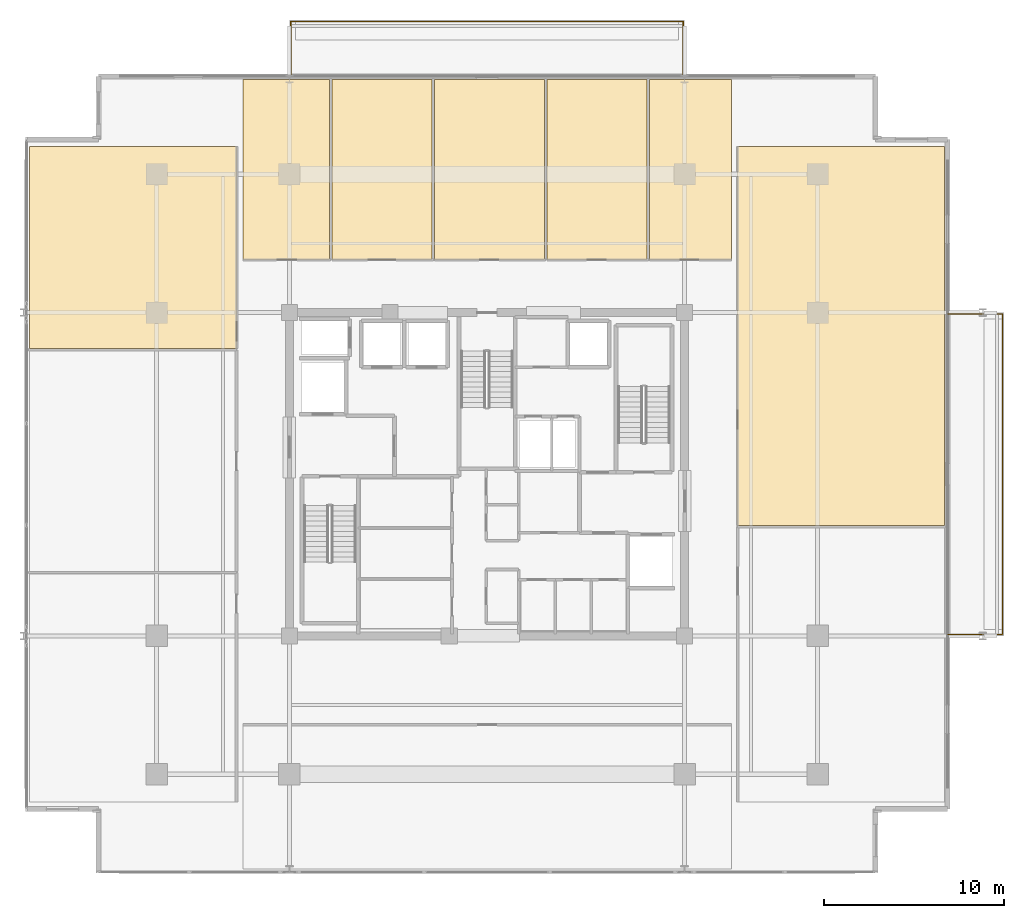
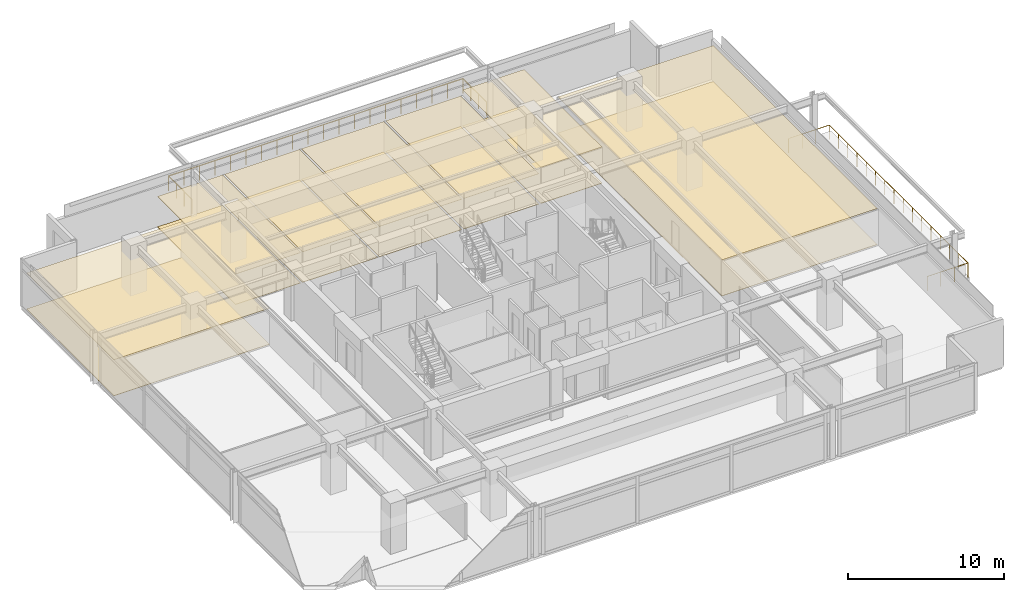
# One storey, part 21 of 21: 14 coverings, 2 railings.
"""IFC4 building model written with IfcOpenShell, lengths in metres."""

import ifcopenshell
import ifcopenshell.guid

model = None  # the IFC model being written
_history = None  # IfcOwnerHistory: only IFC2X3 demands one
_inside = {}  # id of a spatial element -> (the spatial element, [elements in it])
_under = {}  # id of a project, library or spatial element -> (it, [spatial elements below it])
_declared = {}  # id of a project -> (the project, [libraries it declares])
_typed = {}  # id of a type object -> (the type object, [elements of that type])
_made_of = {}  # id of a material, layer set ... -> (it, [elements and type objects made of it])


def new_model(schema):
    """Start an empty IFC model of exactly this schema.

    Asked for "IFC4X3", IfcOpenShell would pick the latest addendum, in which some entities
    have other attributes; the version numbers below select the first issue.
    IFC2X3 requires an IfcOwnerHistory on every rooted entity: one is made here for all.
    """
    global model, _history
    if schema == "IFC4X3":
        model = ifcopenshell.file(schema_version=(4, 3, 0, 0))
    else:
        model = ifcopenshell.file(schema=schema)
    _inside.clear()
    _under.clear()
    _declared.clear()
    _typed.clear()
    _made_of.clear()
    _history = None
    if model.schema == "IFC2X3":
        org = make("IfcOrganization", Name="unknown")
        user = make(
            "IfcPersonAndOrganization",
            ThePerson=make("IfcPerson", FamilyName="unknown"),
            TheOrganization=org,
        )
        app = make(
            "IfcApplication",
            ApplicationDeveloper=org,
            Version="unknown",
            ApplicationFullName="unknown",
            ApplicationIdentifier="unknown",
        )
        _history = make(
            "IfcOwnerHistory",
            OwningUser=user,
            OwningApplication=app,
            ChangeAction="ADDED",
            CreationDate=0,
        )
    return model


def make(cls, **values):
    """One entity of the class cls with the attributes given. An attribute that is None is left unset."""
    return model.create_entity(
        cls, **{name: value for name, value in values.items() if value is not None}
    )


def rooted(cls, **values):
    """An entity with a GlobalId (a new one), such as an element, a storey or a relation."""
    return make(cls, GlobalId=ifcopenshell.guid.new(), OwnerHistory=_history, **values)


def si_unit(unit_type, name, prefix=None):
    """IfcSIUnit, for example si_unit("LENGTHUNIT", "METRE", prefix="MILLI")."""
    return make("IfcSIUnit", UnitType=unit_type, Prefix=prefix, Name=name)


def assignment(units):
    """IfcUnitAssignment: the units of a project."""
    return None if units is None else make("IfcUnitAssignment", Units=units)


def point(xyz):
    """IfcCartesianPoint."""
    return None if xyz is None else make("IfcCartesianPoint", Coordinates=xyz)


def direction(xyz):
    """IfcDirection."""
    return None if xyz is None else make("IfcDirection", DirectionRatios=xyz)


def frame(location, z_axis=None, x_axis=None):
    """IfcAxis2Placement3D, a coordinate frame: its origin and axes. An axis left out is left unset."""
    return make(
        "IfcAxis2Placement3D",
        Location=point(location),
        Axis=direction(z_axis),
        RefDirection=direction(x_axis),
    )


def frame_2d(location, x_axis=None):
    """IfcAxis2Placement2D, a coordinate frame in the plane: its origin and x axis."""
    return make(
        "IfcAxis2Placement2D", Location=point(location), RefDirection=direction(x_axis)
    )


def origin():
    """The frame at (0, 0, 0) with its axes left unset."""
    return frame((0.0, 0.0, 0.0))


def origin_2d():
    """The frame at (0, 0) in the plane with its x axis left unset."""
    return frame_2d((0.0, 0.0))


def place(relative_to, where):
    """IfcLocalPlacement: puts the frame where relative to a parent placement (None: the world)."""
    return make(
        "IfcLocalPlacement", PlacementRelTo=relative_to, RelativePlacement=where
    )


def context(
    kind, dimensions, precision=None, world=None, true_north=None, identifier=None
):
    """IfcGeometricRepresentationContext, for example the 3D "Model" context."""
    return make(
        "IfcGeometricRepresentationContext",
        ContextIdentifier=identifier,
        ContextType=kind,
        CoordinateSpaceDimension=dimensions,
        Precision=precision,
        WorldCoordinateSystem=world,
        TrueNorth=true_north,
    )


def subcontext(parent, identifier, kind, view, scale=None):
    """IfcGeometricRepresentationSubContext, for example "Body" below "Model"."""
    return make(
        "IfcGeometricRepresentationSubContext",
        ContextIdentifier=identifier,
        ContextType=kind,
        ParentContext=parent,
        TargetScale=scale,
        TargetView=view,
    )


def project(units=None, contexts=None):
    """IfcProject with its units and contexts."""
    return rooted(
        "IfcProject",
        Name="project",
        RepresentationContexts=contexts,
        UnitsInContext=assignment(units),
    )


def spatial(cls, under=None, at=None, **own):
    """A site, building, storey or space (cls), placed at a placement, below another one or the project."""
    s = rooted(cls, ObjectPlacement=at, **own)
    if under is not None:
        _under.setdefault(under.id(), (under, []))[1].append(s)
    return s


def polyline(points):
    """IfcPolyline through the points."""
    return make("IfcPolyline", Points=[point(p) for p in points])


def profile(cls, at=None, kind="AREA", **sizes):
    """A parametric profile (cls). Its sizes go by their IFC names, for example OverallWidth=200.0."""
    return make(cls, ProfileType=kind, Position=at, **sizes)


def circle(**sizes):
    """IfcCircleProfileDef."""
    return profile("IfcCircleProfileDef", **sizes)


def outline(outer, holes=None, kind="AREA"):
    """IfcArbitraryClosedProfileDef: a profile drawn as a closed curve; with holes, ...WithVoids."""
    if holes is None:
        return make("IfcArbitraryClosedProfileDef", ProfileType=kind, OuterCurve=outer)
    return make(
        "IfcArbitraryProfileDefWithVoids",
        ProfileType=kind,
        OuterCurve=outer,
        InnerCurves=holes,
    )


def extrude(swept, where, along, depth):
    """IfcExtrudedAreaSolid: the profile swept, set in the frame where, extruded along a direction by depth."""
    return make(
        "IfcExtrudedAreaSolid",
        SweptArea=swept,
        Position=where,
        ExtrudedDirection=direction(along),
        Depth=depth,
    )


def shape(context_of_items, identifier, shape_type, items):
    """IfcShapeRepresentation: the items that make up one representation, for example the "Body"."""
    return make(
        "IfcShapeRepresentation",
        ContextOfItems=context_of_items,
        RepresentationIdentifier=identifier,
        RepresentationType=shape_type,
        Items=items,
    )


def material(Name=None, Category=None):
    """IfcMaterial."""
    return make("IfcMaterial", Name=Name, Category=Category)


def layer(
    of_material, thickness, ventilated=None, Name=None, Category=None, Priority=None
):
    """IfcMaterialLayer: one layer of a wall or slab, of a material (None: an air gap)."""
    return make(
        "IfcMaterialLayer",
        Material=of_material,
        LayerThickness=thickness,
        IsVentilated=ventilated,
        Name=Name,
        Category=Category,
        Priority=Priority,
    )


def layer_set(layers, Name=None):
    """IfcMaterialLayerSet."""
    return make("IfcMaterialLayerSet", MaterialLayers=layers, LayerSetName=Name)


def made_of(thing, what):
    """Note that an element or type object is made of a material, layer set ...; save() writes the relation."""
    if what is not None:
        _made_of.setdefault(what.id(), (what, []))[1].append(thing)
    return thing


def type_object(cls, material=None, **own):
    """A type object (cls), such as IfcWallType, which elements share."""
    return made_of(rooted(cls, **own), material)


def element(
    cls,
    number,
    at=None,
    inside=None,
    cuts=None,
    type_object=None,
    material=None,
    context=None,
    identifier="Body",
    shape_type=None,
    held_by="IfcProductDefinitionShape",
    body=None,
    shapes=None,
    **own,
):
    """One element of the class cls, such as IfcWall. Its Tag is "e" and its number.

    at: its placement. inside: the storey or other place that contains it. cuts: it is an
    opening in that element (IfcRelVoidsElement). A single representation is given by context,
    identifier, shape_type and body (its items); several are given by shapes. held_by: the class
    of the entity that holds the representations. save() writes the other relations.
    """
    e = rooted(cls, Tag="e%d" % number, ObjectPlacement=at, **own)
    if body is not None:
        shapes = [shape(context, identifier, shape_type, body)]
    if shapes is not None:
        e.Representation = make(held_by, Representations=shapes)
    if inside is not None:
        _inside.setdefault(inside.id(), (inside, []))[1].append(e)
    if cuts is not None:
        rooted(
            "IfcRelVoidsElement", RelatingBuildingElement=cuts, RelatedOpeningElement=e
        )
    if type_object is not None:
        _typed.setdefault(type_object.id(), (type_object, []))[1].append(e)
    return made_of(e, material)


def aggregate(whole, parts):
    """IfcRelAggregates: a whole, such as a stair, and the parts it consists of."""
    return rooted("IfcRelAggregates", RelatingObject=whole, RelatedObjects=parts)


def save(model, path):
    """Write the relations noted so far, then the file.

    IfcRelAggregates (storeys below a building ...), IfcRelContainedInSpatialStructure (elements
    in a storey), IfcRelDefinesByType, IfcRelAssociatesMaterial and IfcRelDeclares: one each for
    every whole, place, type object, material and project.
    """
    for whole, parts in _under.values():
        aggregate(whole, parts)
    for where, things in _inside.values():
        rooted(
            "IfcRelContainedInSpatialStructure",
            RelatedElements=things,
            RelatingStructure=where,
        )
    for kind, things in _typed.values():
        rooted("IfcRelDefinesByType", RelatedObjects=things, RelatingType=kind)
    for what, things in _made_of.values():
        rooted("IfcRelAssociatesMaterial", RelatedObjects=things, RelatingMaterial=what)
    for by, libraries in _declared.values():
        rooted("IfcRelDeclares", RelatingContext=by, RelatedDefinitions=libraries)
    model.write(path)


model = new_model("IFC4")

# Units and contexts
model_context = context("Model", 3, precision=1e-05, world=origin(), true_north=direction((0.0, 1.0)))
body_context = subcontext(model_context, "Body", "Model", "MODEL_VIEW")
ifc_project = project(units=[si_unit("LENGTHUNIT", "METRE"), si_unit("AREAUNIT", "SQUARE_METRE"), si_unit("VOLUMEUNIT", "CUBIC_METRE"), si_unit("PLANEANGLEUNIT", "RADIAN"), si_unit("MASSUNIT", "GRAM", prefix="KILO")], contexts=[model_context])

# Site, building, storey
site_placement = place(None, origin())
site = spatial("IfcSite", under=ifc_project, at=site_placement, CompositionType="ELEMENT")
building_placement = place(site_placement, origin())
building = spatial("IfcBuilding", under=site, at=building_placement, Name="Kovane Verandah Tower", CompositionType="ELEMENT")
storey_placement = place(building_placement, frame((0.0, 0.0, 283.199951171875)))
storey = spatial("IfcBuildingStorey", under=building, at=storey_placement, Name="L66", CompositionType="ELEMENT", Elevation=283.199951171875)

# Coverings
ifc_material_1 = material(Name="Perforated Acoustic Mineral-Fibre Ceiling Tile", Category="gypsum")
ifc_layer_1 = layer(ifc_material_1, 0.02490234375)
ifc_layer_set_1 = layer_set([ifc_layer_1], Name="Perforated Acoustic Mineral-Fibre Ceiling Tile")
covering_type_1 = type_object("IfcCoveringType", Name="CV-CEIL-25", PredefinedType="CEILING", material=ifc_layer_set_1)
covering_1_placement = place(storey_placement, frame((0.0, 0.0, 2.39013671875)))
element("IfcCovering", 1, at=covering_1_placement, inside=storey, type_object=covering_type_1, Name="L66 Executive Office N1 Acoustic Ceiling", PredefinedType="CEILING", context=body_context, shape_type="SweptSolid", body=[
    extrude(outline(polyline([(26.39990234375, 39.449951171875), (31.22607421875, 39.449951171875), (31.22607421875, 49.490478515625), (26.39990234375, 49.490478515625), (26.39990234375, 39.449951171875)])), origin(), (0.0, 0.0, 1.0), 0.02490234375),
])
covering_2_placement = place(storey_placement, frame((0.0, 0.0, 2.39013671875)))
element("IfcCovering", 2, at=covering_2_placement, inside=storey, type_object=covering_type_1, Name="L66 Client Boardroom N2 Acoustic Ceiling", PredefinedType="CEILING", context=body_context, shape_type="SweptSolid", body=[
    extrude(outline(polyline([(31.365966796875, 39.449951171875), (36.93798828125, 39.449951171875), (36.93798828125, 49.490478515625), (31.365966796875, 49.490478515625), (31.365966796875, 39.449951171875)])), origin(), (0.0, 0.0, 1.0), 0.02490234375),
])
covering_3_placement = place(storey_placement, frame((0.0, 0.0, 2.39013671875)))
element("IfcCovering", 3, at=covering_3_placement, inside=storey, type_object=covering_type_1, Name="L66 Meeting Room N3 Acoustic Ceiling", PredefinedType="CEILING", context=body_context, shape_type="SweptSolid", body=[
    extrude(outline(polyline([(37.077880859375, 39.449951171875), (43.194091796875, 39.449951171875), (43.194091796875, 49.490478515625), (37.077880859375, 49.490478515625), (37.077880859375, 39.449951171875)])), origin(), (0.0, 0.0, 1.0), 0.02490234375),
])
covering_4_placement = place(storey_placement, frame((0.0, 0.0, 2.39013671875)))
element("IfcCovering", 4, at=covering_4_placement, inside=storey, type_object=covering_type_1, Name="L66 Focus Studio N4 Acoustic Ceiling", PredefinedType="CEILING", context=body_context, shape_type="SweptSolid", body=[
    extrude(outline(polyline([(43.333984375, 39.449951171875), (48.906005859375, 39.449951171875), (48.906005859375, 49.490478515625), (43.333984375, 49.490478515625), (43.333984375, 39.449951171875)])), origin(), (0.0, 0.0, 1.0), 0.02490234375),
])
covering_5_placement = place(storey_placement, frame((0.0, 0.0, 2.824951171875)))
element("IfcCovering", 5, at=covering_5_placement, inside=storey, type_object=covering_type_1, Name="L66 Breakout Pantry N5 Acoustic Ceiling", PredefinedType="CEILING", context=body_context, shape_type="SweptSolid", body=[
    extrude(outline(polyline([(49.0458984375, 39.449951171875), (53.60009765625, 39.449951171875), (53.60009765625, 49.490478515625), (49.0458984375, 49.490478515625), (49.0458984375, 39.449951171875)])), origin(), (0.0, 0.0, 1.0), 0.025146484375),
])
covering_6_placement = place(storey_placement, frame((0.0, 0.0, 2.824951171875)))
element("IfcCovering", 6, at=covering_6_placement, inside=storey, type_object=covering_type_1, Name="L66 Executive Office W3 Acoustic Ceiling", PredefinedType="CEILING", context=body_context, shape_type="SweptSolid", body=[
    extrude(outline(polyline([(14.518798828125, 34.50146484375), (26.050048828125, 34.50146484375), (26.050048828125, 45.740478515625), (14.518798828125, 45.740478515625), (14.518798828125, 34.50146484375)])), origin(), (0.0, 0.0, 1.0), 0.025146484375),
])
covering_7_placement = place(storey_placement, frame((0.0, 0.0, 2.824951171875)))
element("IfcCovering", 7, at=covering_7_placement, inside=storey, type_object=covering_type_1, Name="L66 Meeting Room E2 Acoustic Ceiling", PredefinedType="CEILING", context=body_context, shape_type="SweptSolid", body=[
    extrude(outline(polyline([(53.949951171875, 24.651611328125), (65.481201171875, 24.651611328125), (65.481201171875, 45.740478515625), (53.949951171875, 45.740478515625), (53.949951171875, 24.651611328125)])), origin(), (0.0, 0.0, 1.0), 0.025146484375),
])
ifc_material_2 = material(Name="Polished Terrazzo and Raised-Access Carpet Tile Finish", Category="concrete")
ifc_layer_2 = layer(ifc_material_2, 0.030029296875)
ifc_layer_set_2 = layer_set([ifc_layer_2], Name="Polished Terrazzo and Raised-Access Carpet Tile Finish")
covering_type_2 = type_object("IfcCoveringType", Name="CV-FLOR-30", PredefinedType="FLOORING", material=ifc_layer_set_2)
covering_8_placement = place(storey_placement, origin())
element("IfcCovering", 8, at=covering_8_placement, inside=storey, type_object=covering_type_2, Name="L66 Executive Office N1 Floor Finish", PredefinedType="FLOORING", context=body_context, shape_type="SweptSolid", body=[
    extrude(outline(polyline([(26.39990234375, 39.449951171875), (31.22607421875, 39.449951171875), (31.22607421875, 49.490478515625), (26.39990234375, 49.490478515625), (26.39990234375, 39.449951171875)])), origin(), (0.0, 0.0, 1.0), 0.030029296875),
])
covering_9_placement = place(storey_placement, origin())
element("IfcCovering", 9, at=covering_9_placement, inside=storey, type_object=covering_type_2, Name="L66 Client Boardroom N2 Floor Finish", PredefinedType="FLOORING", context=body_context, shape_type="SweptSolid", body=[
    extrude(outline(polyline([(31.365966796875, 39.449951171875), (36.93798828125, 39.449951171875), (36.93798828125, 49.490478515625), (31.365966796875, 49.490478515625), (31.365966796875, 39.449951171875)])), origin(), (0.0, 0.0, 1.0), 0.030029296875),
])
covering_10_placement = place(storey_placement, origin())
element("IfcCovering", 10, at=covering_10_placement, inside=storey, type_object=covering_type_2, Name="L66 Meeting Room N3 Floor Finish", PredefinedType="FLOORING", context=body_context, shape_type="SweptSolid", body=[
    extrude(outline(polyline([(37.077880859375, 39.449951171875), (43.194091796875, 39.449951171875), (43.194091796875, 49.490478515625), (37.077880859375, 49.490478515625), (37.077880859375, 39.449951171875)])), origin(), (0.0, 0.0, 1.0), 0.030029296875),
])
covering_11_placement = place(storey_placement, origin())
element("IfcCovering", 11, at=covering_11_placement, inside=storey, type_object=covering_type_2, Name="L66 Focus Studio N4 Floor Finish", PredefinedType="FLOORING", context=body_context, shape_type="SweptSolid", body=[
    extrude(outline(polyline([(43.333984375, 39.449951171875), (48.906005859375, 39.449951171875), (48.906005859375, 49.490478515625), (43.333984375, 49.490478515625), (43.333984375, 39.449951171875)])), origin(), (0.0, 0.0, 1.0), 0.030029296875),
])
covering_12_placement = place(storey_placement, origin())
element("IfcCovering", 12, at=covering_12_placement, inside=storey, type_object=covering_type_2, Name="L66 Breakout Pantry N5 Floor Finish", PredefinedType="FLOORING", context=body_context, shape_type="SweptSolid", body=[
    extrude(outline(polyline([(49.0458984375, 39.449951171875), (53.60009765625, 39.449951171875), (53.60009765625, 49.490478515625), (49.0458984375, 49.490478515625), (49.0458984375, 39.449951171875)])), origin(), (0.0, 0.0, 1.0), 0.030029296875),
])
covering_13_placement = place(storey_placement, origin())
element("IfcCovering", 13, at=covering_13_placement, inside=storey, type_object=covering_type_2, Name="L66 Executive Office W3 Floor Finish", PredefinedType="FLOORING", context=body_context, shape_type="SweptSolid", body=[
    extrude(outline(polyline([(14.518798828125, 34.50146484375), (26.050048828125, 34.50146484375), (26.050048828125, 45.740478515625), (14.518798828125, 45.740478515625), (14.518798828125, 34.50146484375)])), origin(), (0.0, 0.0, 1.0), 0.030029296875),
])
covering_14_placement = place(storey_placement, origin())
element("IfcCovering", 14, at=covering_14_placement, inside=storey, type_object=covering_type_2, Name="L66 Meeting Room E2 Floor Finish", PredefinedType="FLOORING", context=body_context, shape_type="SweptSolid", body=[
    extrude(outline(polyline([(53.949951171875, 24.651611328125), (65.481201171875, 24.651611328125), (65.481201171875, 45.740478515625), (53.949951171875, 45.740478515625), (53.949951171875, 24.651611328125)])), origin(), (0.0, 0.0, 1.0), 0.030029296875),
])

# Railings
ifc_material_3 = material(Name="Laminated Glass and Pale-Champagne Stainless Balustrade", Category="glass")
railing_type = type_object("IfcRailingType", Name="RL-BAL-1150", PredefinedType="BALUSTRADE", material=ifc_material_3)
railing_1_placement = place(storey_placement, frame((29.080078125, 49.6904296875, 0.0)))
element("IfcRailing", 15, at=railing_1_placement, inside=storey, type_object=railing_type, Name="L66 N Verandah Glass Balustrade", PredefinedType="BALUSTRADE", context=body_context, shape_type="SweptSolid", body=[
    extrude(circle(Radius=0.02392578125, at=origin_2d()), frame((0.0, 0.0, 1.1259765625), z_axis=(0.0, 1.0, 0.0), x_axis=(-1.0, 0.0, 0.0)), (0.0, 0.0, 1.0), 3.02001953125),
    extrude(circle(Radius=0.02392578125, at=origin_2d()), frame((0.0, 3.02001953125, 1.1259765625), z_axis=(1.0, 0.0, 0.0), x_axis=(0.0, 1.0, 0.0)), (0.0, 0.0, 1.0), 21.83984375),
    extrude(circle(Radius=0.02392578125, at=origin_2d()), frame((21.83984375, 3.02001953125, 1.1259765625), z_axis=(0.0, -1.0, 0.0), x_axis=(1.0, 0.0, 0.0)), (0.0, 0.0, 1.0), 3.02001953125),
    extrude(circle(Radius=0.02099609375, at=origin_2d()), origin(), (0.0, 0.0, 1.0), 1.101806640625),
    extrude(circle(Radius=0.02099609375, at=origin_2d()), frame((0.0, 1.006591796875, 0.0)), (0.0, 0.0, 1.0), 1.101806640625),
    extrude(circle(Radius=0.02099609375, at=origin_2d()), frame((0.0, 2.013427734375, 0.0)), (0.0, 0.0, 1.0), 1.101806640625),
    extrude(circle(Radius=0.02099609375, at=origin_2d()), frame((0.0, 3.02001953125, 0.0)), (0.0, 0.0, 1.0), 1.101806640625),
    extrude(circle(Radius=0.02099609375, at=origin_2d()), frame((1.1494140625, 3.02001953125, 0.0)), (0.0, 0.0, 1.0), 1.101806640625),
    extrude(circle(Radius=0.02099609375, at=origin_2d()), frame((2.298828125, 3.02001953125, 0.0)), (0.0, 0.0, 1.0), 1.101806640625),
    extrude(circle(Radius=0.02099609375, at=origin_2d()), frame((3.448486328125, 3.02001953125, 0.0)), (0.0, 0.0, 1.0), 1.101806640625),
    extrude(circle(Radius=0.02099609375, at=origin_2d()), frame((4.597900390625, 3.02001953125, 0.0)), (0.0, 0.0, 1.0), 1.101806640625),
    extrude(circle(Radius=0.02099609375, at=origin_2d()), frame((5.747314453125, 3.02001953125, 0.0)), (0.0, 0.0, 1.0), 1.101806640625),
    extrude(circle(Radius=0.02099609375, at=origin_2d()), frame((6.896728515625, 3.02001953125, 0.0)), (0.0, 0.0, 1.0), 1.101806640625),
    extrude(circle(Radius=0.02099609375, at=origin_2d()), frame((8.046142578125, 3.02001953125, 0.0)), (0.0, 0.0, 1.0), 1.101806640625),
    extrude(circle(Radius=0.02099609375, at=origin_2d()), frame((9.19580078125, 3.02001953125, 0.0)), (0.0, 0.0, 1.0), 1.101806640625),
    extrude(circle(Radius=0.02099609375, at=origin_2d()), frame((10.34521484375, 3.02001953125, 0.0)), (0.0, 0.0, 1.0), 1.101806640625),
    extrude(circle(Radius=0.02099609375, at=origin_2d()), frame((11.49462890625, 3.02001953125, 0.0)), (0.0, 0.0, 1.0), 1.101806640625),
    extrude(circle(Radius=0.02099609375, at=origin_2d()), frame((12.64404296875, 3.02001953125, 0.0)), (0.0, 0.0, 1.0), 1.101806640625),
    extrude(circle(Radius=0.02099609375, at=origin_2d()), frame((13.793701171875, 3.02001953125, 0.0)), (0.0, 0.0, 1.0), 1.101806640625),
    extrude(circle(Radius=0.02099609375, at=origin_2d()), frame((14.943115234375, 3.02001953125, 0.0)), (0.0, 0.0, 1.0), 1.101806640625),
    extrude(circle(Radius=0.02099609375, at=origin_2d()), frame((16.092529296875, 3.02001953125, 0.0)), (0.0, 0.0, 1.0), 1.101806640625),
    extrude(circle(Radius=0.02099609375, at=origin_2d()), frame((17.241943359375, 3.02001953125, 0.0)), (0.0, 0.0, 1.0), 1.101806640625),
    extrude(circle(Radius=0.02099609375, at=origin_2d()), frame((18.391357421875, 3.02001953125, 0.0)), (0.0, 0.0, 1.0), 1.101806640625),
    extrude(circle(Radius=0.02099609375, at=origin_2d()), frame((19.541015625, 3.02001953125, 0.0)), (0.0, 0.0, 1.0), 1.101806640625),
    extrude(circle(Radius=0.02099609375, at=origin_2d()), frame((20.6904296875, 3.02001953125, 0.0)), (0.0, 0.0, 1.0), 1.101806640625),
    extrude(circle(Radius=0.02099609375, at=origin_2d()), frame((21.83984375, 3.02001953125, 0.0)), (0.0, 0.0, 1.0), 1.101806640625),
    extrude(circle(Radius=0.02099609375, at=origin_2d()), frame((21.83984375, 2.013427734375, 0.0)), (0.0, 0.0, 1.0), 1.101806640625),
    extrude(circle(Radius=0.02099609375, at=origin_2d()), frame((21.83984375, 1.006591796875, 0.0)), (0.0, 0.0, 1.0), 1.101806640625),
    extrude(circle(Radius=0.02099609375, at=origin_2d()), frame((21.83984375, 0.0, 0.0)), (0.0, 0.0, 1.0), 1.101806640625),
])
railing_2_placement = place(storey_placement, frame((65.681396484375, 18.580078125, 0.0)))
element("IfcRailing", 16, at=railing_2_placement, inside=storey, type_object=railing_type, Name="L66 E Verandah Glass Balustrade", PredefinedType="BALUSTRADE", context=body_context, shape_type="SweptSolid", body=[
    extrude(circle(Radius=0.02392578125, at=origin_2d()), frame((0.0, 0.0, 1.1259765625), z_axis=(1.0, 0.0, 0.0), x_axis=(0.0, 1.0, 0.0)), (0.0, 0.0, 1.0), 3.02001953125),
    extrude(circle(Radius=0.02392578125, at=origin_2d()), frame((3.02001953125, 0.0, 1.1259765625), z_axis=(0.0, 1.0, 0.0), x_axis=(-1.0, 0.0, 0.0)), (0.0, 0.0, 1.0), 17.83984375),
    extrude(circle(Radius=0.02392578125, at=origin_2d()), frame((3.02001953125, 17.83984375, 1.1259765625), z_axis=(-1.0, 0.0, 0.0), x_axis=(0.0, -1.0, 0.0)), (0.0, 0.0, 1.0), 3.02001953125),
    extrude(circle(Radius=0.02099609375, at=origin_2d()), origin(), (0.0, 0.0, 1.0), 1.101806640625),
    extrude(circle(Radius=0.02099609375, at=origin_2d()), frame((1.006591796875, 0.0, 0.0)), (0.0, 0.0, 1.0), 1.101806640625),
    extrude(circle(Radius=0.02099609375, at=origin_2d()), frame((2.013427734375, 0.0, 0.0)), (0.0, 0.0, 1.0), 1.101806640625),
    extrude(circle(Radius=0.02099609375, at=origin_2d()), frame((3.02001953125, 0.0, 0.0)), (0.0, 0.0, 1.0), 1.101806640625),
    extrude(circle(Radius=0.02099609375, at=origin_2d()), frame((3.02001953125, 1.189208984375, 0.0)), (0.0, 0.0, 1.0), 1.101806640625),
    extrude(circle(Radius=0.02099609375, at=origin_2d()), frame((3.02001953125, 2.378662109375, 0.0)), (0.0, 0.0, 1.0), 1.101806640625),
    extrude(circle(Radius=0.02099609375, at=origin_2d()), frame((3.02001953125, 3.56787109375, 0.0)), (0.0, 0.0, 1.0), 1.101806640625),
    extrude(circle(Radius=0.02099609375, at=origin_2d()), frame((3.02001953125, 4.75732421875, 0.0)), (0.0, 0.0, 1.0), 1.101806640625),
    extrude(circle(Radius=0.02099609375, at=origin_2d()), frame((3.02001953125, 5.946533203125, 0.0)), (0.0, 0.0, 1.0), 1.101806640625),
    extrude(circle(Radius=0.02099609375, at=origin_2d()), frame((3.02001953125, 7.135986328125, 0.0)), (0.0, 0.0, 1.0), 1.101806640625),
    extrude(circle(Radius=0.02099609375, at=origin_2d()), frame((3.02001953125, 8.3251953125, 0.0)), (0.0, 0.0, 1.0), 1.101806640625),
    extrude(circle(Radius=0.02099609375, at=origin_2d()), frame((3.02001953125, 9.5146484375, 0.0)), (0.0, 0.0, 1.0), 1.101806640625),
    extrude(circle(Radius=0.02099609375, at=origin_2d()), frame((3.02001953125, 10.703857421875, 0.0)), (0.0, 0.0, 1.0), 1.101806640625),
    extrude(circle(Radius=0.02099609375, at=origin_2d()), frame((3.02001953125, 11.893310546875, 0.0)), (0.0, 0.0, 1.0), 1.101806640625),
    extrude(circle(Radius=0.02099609375, at=origin_2d()), frame((3.02001953125, 13.08251953125, 0.0)), (0.0, 0.0, 1.0), 1.101806640625),
    extrude(circle(Radius=0.02099609375, at=origin_2d()), frame((3.02001953125, 14.27197265625, 0.0)), (0.0, 0.0, 1.0), 1.101806640625),
    extrude(circle(Radius=0.02099609375, at=origin_2d()), frame((3.02001953125, 15.461181640625, 0.0)), (0.0, 0.0, 1.0), 1.101806640625),
    extrude(circle(Radius=0.02099609375, at=origin_2d()), frame((3.02001953125, 16.650634765625, 0.0)), (0.0, 0.0, 1.0), 1.101806640625),
    extrude(circle(Radius=0.02099609375, at=origin_2d()), frame((3.02001953125, 17.83984375, 0.0)), (0.0, 0.0, 1.0), 1.101806640625),
    extrude(circle(Radius=0.02099609375, at=origin_2d()), frame((2.013427734375, 17.83984375, 0.0)), (0.0, 0.0, 1.0), 1.101806640625),
    extrude(circle(Radius=0.02099609375, at=origin_2d()), frame((1.006591796875, 17.83984375, 0.0)), (0.0, 0.0, 1.0), 1.101806640625),
    extrude(circle(Radius=0.02099609375, at=origin_2d()), frame((0.0, 17.83984375, 0.0)), (0.0, 0.0, 1.0), 1.101806640625),
])

save(model, "model.ifc")
